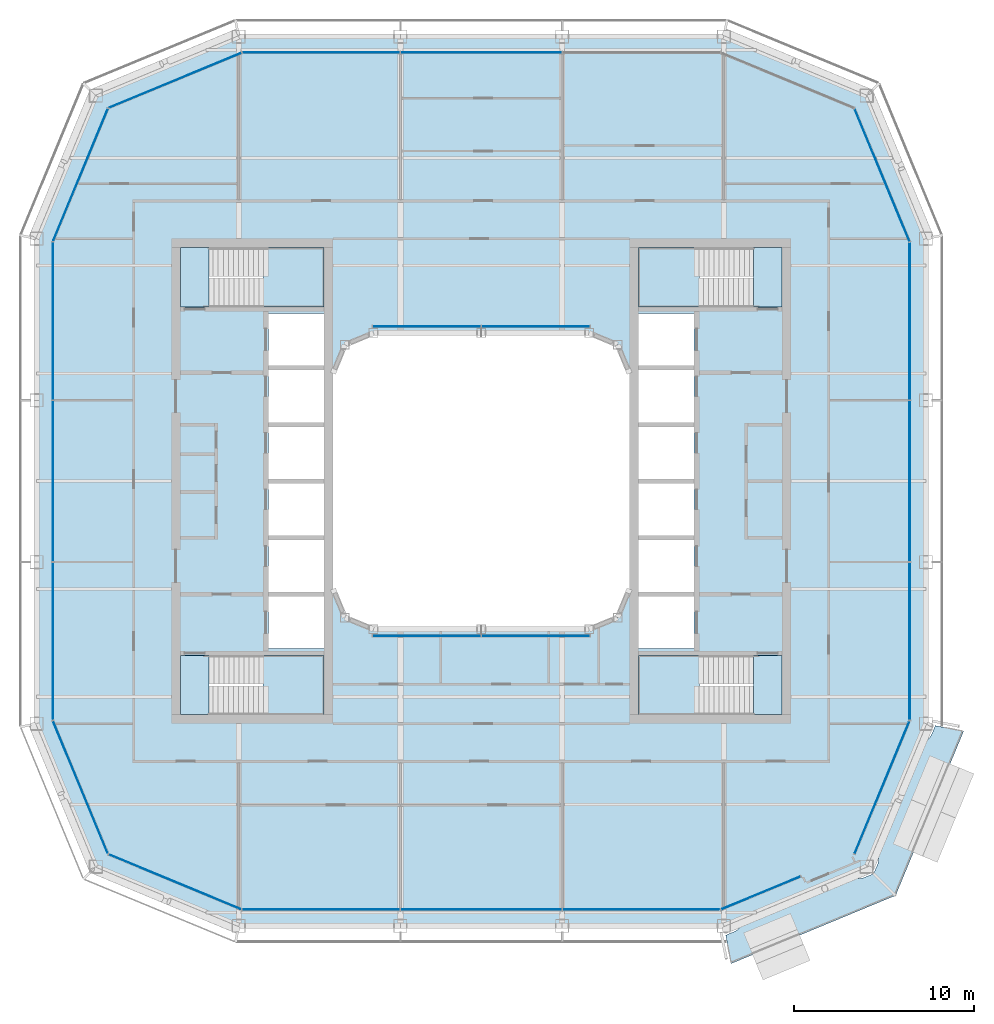
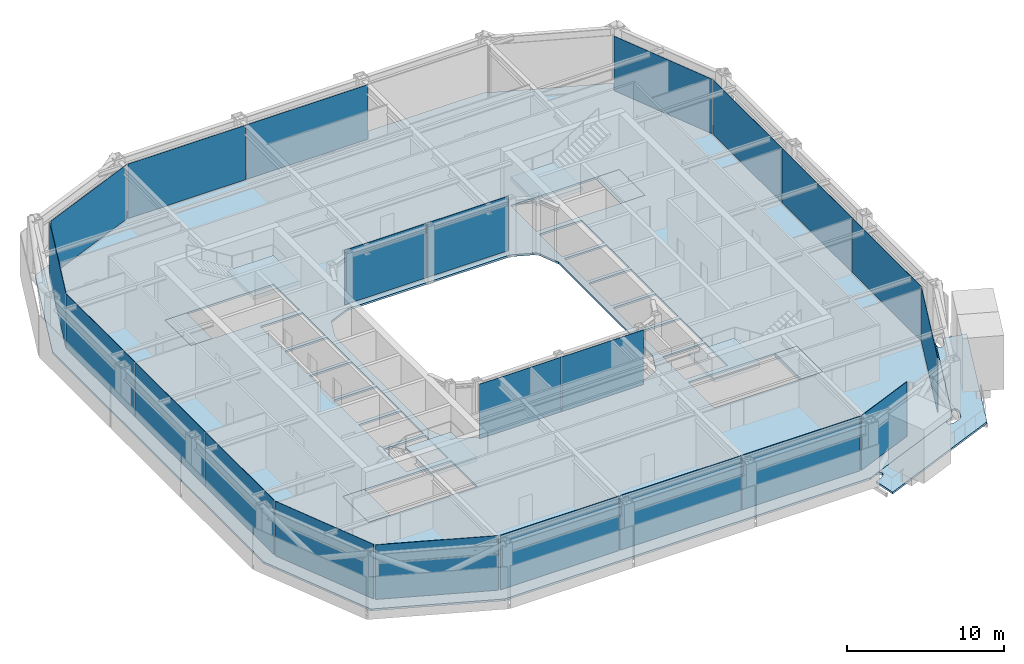
# One storey, part 9 of 21: 22 plates, 10 slabs, 17 elements without a shape of their own.
"""IFC4 building model written with IfcOpenShell, lengths in metres."""

from ifc_helpers import new_model, si_unit, direction, frame, origin, origin_2d, place, context, subcontext, project, spatial, polyline, rectangle, outline, extrude, material, layer, layer_set, type_object, element, aggregate, save


model = new_model("IFC4")

# Units and contexts
model_context = context("Model", 3, precision=1e-05, world=origin(), true_north=direction((0.0, 1.0)))
body_context = subcontext(model_context, "Body", "Model", "MODEL_VIEW")
ifc_project = project(units=[si_unit("LENGTHUNIT", "METRE"), si_unit("AREAUNIT", "SQUARE_METRE"), si_unit("VOLUMEUNIT", "CUBIC_METRE"), si_unit("PLANEANGLEUNIT", "RADIAN"), si_unit("MASSUNIT", "GRAM", prefix="KILO")], contexts=[model_context])

# Site, building, storey
site_placement = place(None, origin())
site = spatial("IfcSite", under=ifc_project, at=site_placement, CompositionType="ELEMENT")
building_placement = place(site_placement, origin())
building = spatial("IfcBuilding", under=site, at=building_placement, Name="Siwar Civic Tower", CompositionType="ELEMENT")
storey_placement = place(building_placement, frame((0.0, 0.0, 303.199951171875)))
storey = spatial("IfcBuildingStorey", under=building, at=storey_placement, Name="L65", CompositionType="ELEMENT", Elevation=303.199951171875)

# Stair, slabs
ifc_material_1 = material(Name="Concrete C40/50", Category="concrete")
stair_type = type_object("IfcStairType", Name="CORE-STAIR", PredefinedType="TWO_STRAIGHT_RUN_STAIR", material=ifc_material_1)
stair_1_placement = place(storey_placement, origin())
stair_1 = element("IfcStair", 1, at=stair_1_placement, inside=storey, type_object=stair_type, Name="Exit stair ST1", PredefinedType="TWO_STRAIGHT_RUN_STAIR")
ifc_material_2 = material(Name="Concrete C40/50", Category="concrete")
ifc_layer_1 = layer(ifc_material_2, 0.300048828125)
ifc_layer_set_1 = layer_set([ifc_layer_1], Name="Concrete C40/50")
slab_type_1 = type_object("IfcSlabType", Name="CORE-STAIR-LANDING", PredefinedType="LANDING", material=ifc_layer_set_1)
slab_1_placement = place(storey_placement, frame((0.0, 0.0, -0.300048828125)))
slab_1 = element("IfcSlab", 2, at=slab_1_placement, type_object=slab_type_1, Name="ST1 landing 1", PredefinedType="LANDING", context=body_context, shape_type="SweptSolid", body=[
    extrude(outline(polyline([(-15.14990234375, 13.0), (-16.75, 13.0), (-16.75, 9.699951171875), (-15.14990234375, 9.699951171875), (-15.14990234375, 13.0)])), origin(), (0.0, 0.0, 1.0), 0.300048828125),
])
slab_2_placement = place(storey_placement, frame((0.0, 0.0, 1.949951171875)))
slab_2 = element("IfcSlab", 3, at=slab_2_placement, type_object=slab_type_1, Name="ST1 landing 2", PredefinedType="LANDING", context=body_context, shape_type="SweptSolid", body=[
    extrude(outline(polyline([(-8.75, 13.0), (-12.139892578125, 13.0), (-12.139892578125, 9.699951171875), (-8.75, 9.699951171875), (-8.75, 13.0)])), origin(), (0.0, 0.0, 1.0), 0.300048828125),
])
aggregate(stair_1, [slab_1, slab_2])

stair_2_placement = place(storey_placement, origin())
stair_2 = element("IfcStair", 4, at=stair_2_placement, inside=storey, type_object=stair_type, Name="Exit stair ST2", PredefinedType="TWO_STRAIGHT_RUN_STAIR")
slab_3_placement = place(storey_placement, frame((0.0, 0.0, -0.300048828125)))
slab_3 = element("IfcSlab", 5, at=slab_3_placement, type_object=slab_type_1, Name="ST2 landing 1", PredefinedType="LANDING", context=body_context, shape_type="SweptSolid", body=[
    extrude(outline(polyline([(-15.14990234375, -9.699951171875), (-16.75, -9.699951171875), (-16.75, -13.0), (-15.14990234375, -13.0), (-15.14990234375, -9.699951171875)])), origin(), (0.0, 0.0, 1.0), 0.300048828125),
])
slab_4_placement = place(storey_placement, frame((0.0, 0.0, 1.949951171875)))
slab_4 = element("IfcSlab", 6, at=slab_4_placement, type_object=slab_type_1, Name="ST2 landing 2", PredefinedType="LANDING", context=body_context, shape_type="SweptSolid", body=[
    extrude(outline(polyline([(-8.75, -9.699951171875), (-12.139892578125, -9.699951171875), (-12.139892578125, -13.0), (-8.75, -13.0), (-8.75, -9.699951171875)])), origin(), (0.0, 0.0, 1.0), 0.300048828125),
])
aggregate(stair_2, [slab_3, slab_4])

stair_3_placement = place(storey_placement, origin())
stair_3 = element("IfcStair", 7, at=stair_3_placement, inside=storey, type_object=stair_type, Name="Exit stair ST3", PredefinedType="TWO_STRAIGHT_RUN_STAIR")
slab_5_placement = place(storey_placement, frame((0.0, 0.0, -0.300048828125)))
slab_5 = element("IfcSlab", 8, at=slab_5_placement, type_object=slab_type_1, Name="ST3 landing 1", PredefinedType="LANDING", context=body_context, shape_type="SweptSolid", body=[
    extrude(outline(polyline([(15.14990234375, 9.699951171875), (16.75, 9.699951171875), (16.75, 13.0), (15.14990234375, 13.0), (15.14990234375, 9.699951171875)])), origin(), (0.0, 0.0, 1.0), 0.300048828125),
])
slab_6_placement = place(storey_placement, frame((0.0, 0.0, 1.949951171875)))
slab_6 = element("IfcSlab", 9, at=slab_6_placement, type_object=slab_type_1, Name="ST3 landing 2", PredefinedType="LANDING", context=body_context, shape_type="SweptSolid", body=[
    extrude(outline(polyline([(8.75, 9.699951171875), (12.139892578125, 9.699951171875), (12.139892578125, 13.0), (8.75, 13.0), (8.75, 9.699951171875)])), origin(), (0.0, 0.0, 1.0), 0.300048828125),
])
aggregate(stair_3, [slab_5, slab_6])

stair_4_placement = place(storey_placement, origin())
stair_4 = element("IfcStair", 10, at=stair_4_placement, inside=storey, type_object=stair_type, Name="Exit stair ST4", PredefinedType="TWO_STRAIGHT_RUN_STAIR")
slab_7_placement = place(storey_placement, frame((0.0, 0.0, -0.300048828125)))
slab_7 = element("IfcSlab", 11, at=slab_7_placement, type_object=slab_type_1, Name="ST4 landing 1", PredefinedType="LANDING", context=body_context, shape_type="SweptSolid", body=[
    extrude(outline(polyline([(15.14990234375, -13.0), (16.75, -13.0), (16.75, -9.699951171875), (15.14990234375, -9.699951171875), (15.14990234375, -13.0)])), origin(), (0.0, 0.0, 1.0), 0.300048828125),
])
slab_8_placement = place(storey_placement, frame((0.0, 0.0, 1.949951171875)))
slab_8 = element("IfcSlab", 12, at=slab_8_placement, type_object=slab_type_1, Name="ST4 landing 2", PredefinedType="LANDING", context=body_context, shape_type="SweptSolid", body=[
    extrude(outline(polyline([(8.75, -13.0), (12.139892578125, -13.0), (12.139892578125, -9.699951171875), (8.75, -9.699951171875), (8.75, -13.0)])), origin(), (0.0, 0.0, 1.0), 0.300048828125),
])
aggregate(stair_4, [slab_7, slab_8])

# Slab
ifc_material_3 = material(Name="Concrete C40/50", Category="concrete")
ifc_layer_2 = layer(ifc_material_3, 0.14990234375)
ifc_layer_set_2 = layer_set([ifc_layer_2], Name="Concrete C40/50")
slab_type_2 = type_object("IfcSlabType", Name="ENV-BALCONY DECK 150", PredefinedType="FLOOR", material=ifc_layer_set_2)
slab_9_placement = place(storey_placement, frame((0.0, 0.0, -0.1494140625)))
element("IfcSlab", 13, at=slab_9_placement, inside=storey, type_object=slab_type_2, Name="Tree balcony deck SE", PredefinedType="FLOOR", context=body_context, shape_type="SweptSolid", body=[
    extrude(outline(polyline([(21.743896484375, -21.88623046875), (21.738525390625, -21.888671875), (21.738525390625, -21.888671875), (21.72216796875, -21.8955078125), (21.5908203125, -21.949951171875), (21.43505859375, -22.014892578125), (21.3857421875, -22.035400390625), (21.369384765625, -22.042236328125), (21.367431640625, -22.04296875), (21.306396484375, -22.06640625), (21.3017578125, -22.068115234375), (21.247802734375, -22.0849609375), (21.243408203125, -22.086181640625), (21.1884765625, -22.099853515625), (21.181396484375, -22.101318359375), (21.134033203125, -22.108154296875), (21.1328125, -22.1083984375), (21.07666015625, -22.11572265625), (21.070068359375, -22.1162109375), (21.0634765625, -22.1162109375), (20.975830078125, -22.112060546875), (20.965087890625, -22.11083984375), (20.92578125, -22.103271484375), (20.91796875, -22.101318359375), (20.910400390625, -22.0986328125), (20.8798828125, -22.08544921875), (20.875732421875, -22.08349609375), (20.84619140625, -22.068603515625), (20.839599609375, -22.06494140625), (20.833251953125, -22.060546875), (20.82763671875, -22.055419921875), (20.80712890625, -22.03564453125), (20.802490234375, -22.030517578125), (20.798095703125, -22.02490234375), (20.794189453125, -22.01904296875), (20.791015625, -22.0126953125), (20.780029296875, -21.988525390625), (20.7783203125, -21.984375), (20.76904296875, -21.959716796875), (20.7666015625, -21.952880859375), (20.76513671875, -21.946044921875), (20.76416015625, -21.93896484375), (20.763916015625, -21.931884765625), (20.764404296875, -21.903564453125), (20.764892578125, -21.89599609375), (20.76611328125, -21.888427734375), (20.76806640625, -21.881103515625), (20.778564453125, -21.849609375), (20.780029296875, -21.845458984375), (20.792236328125, -21.814453125), (20.795654296875, -21.80712890625), (20.7998046875, -21.800048828125), (20.822021484375, -21.766845703125), (20.82861328125, -21.758544921875), (20.887451171875, -21.693359375), (20.89208984375, -21.688720703125), (20.8935546875, -21.6875), (14.063720703125, -24.516357421875), (14.103759765625, -24.51123046875), (14.1103515625, -24.5107421875), (14.116943359375, -24.5107421875), (14.20458984375, -24.514892578125), (14.21533203125, -24.51611328125), (14.254638671875, -24.523681640625), (14.262451171875, -24.525634765625), (14.27001953125, -24.5283203125), (14.300537109375, -24.54150390625), (14.3046875, -24.54345703125), (14.33447265625, -24.558349609375), (14.341064453125, -24.56201171875), (14.34716796875, -24.56640625), (14.352783203125, -24.571533203125), (14.373291015625, -24.591064453125), (14.378173828125, -24.596435546875), (14.382568359375, -24.601806640625), (14.38623046875, -24.60791015625), (14.389404296875, -24.6142578125), (14.400390625, -24.638427734375), (14.402099609375, -24.642578125), (14.41162109375, -24.667236328125), (14.413818359375, -24.674072265625), (14.415283203125, -24.680908203125), (14.416259765625, -24.68798828125), (14.41650390625, -24.695068359375), (14.416015625, -24.723388671875), (14.41552734375, -24.73095703125), (14.414306640625, -24.738525390625), (14.412353515625, -24.745849609375), (14.402099609375, -24.77734375), (14.400634765625, -24.781494140625), (14.388427734375, -24.8125), (14.385009765625, -24.81982421875), (14.380859375, -24.82666015625), (14.3583984375, -24.860107421875), (14.351806640625, -24.868408203125), (14.29296875, -24.93359375), (14.288330078125, -24.938232421875), (14.283203125, -24.942626953125), (14.238525390625, -24.977294921875), (14.237548828125, -24.97802734375), (14.19921875, -25.006591796875), (14.193115234375, -25.0107421875), (14.144775390625, -25.0400390625), (14.140869140625, -25.042236328125), (14.0908203125, -25.068603515625), (14.08642578125, -25.07080078125), (14.02685546875, -25.09765625), (14.02490234375, -25.098388671875), (14.0166015625, -25.101806640625), (13.9755859375, -25.118896484375), (13.795166015625, -25.194091796875), (13.713134765625, -25.22802734375), (13.68017578125, -25.24169921875), (13.65576171875, -25.251953125), (13.65576171875, -25.251953125), (13.65576171875, -25.251953125), (13.65576171875, -25.251953125), (13.65576171875, -25.251953125), (13.64794921875, -25.2548828125), (13.632568359375, -25.25927734375), (13.625, -25.260986328125), (13.616943359375, -25.26220703125), (13.60205078125, -25.26318359375), (13.917724609375, -26.85009765625), (23.062255859375, -23.062255859375), (26.85009765625, -13.917724609375), (25.2607421875, -13.6015625), (25.2607421875, -13.61376953125), (25.2607421875, -13.620361328125), (25.259765625, -13.627197265625), (25.258544921875, -13.6337890625), (25.25537109375, -13.6455078125), (25.251953125, -13.65576171875), (25.24169921875, -13.68017578125), (25.22802734375, -13.713134765625), (25.194091796875, -13.795166015625), (25.118896484375, -13.9755859375), (25.101806640625, -14.0166015625), (25.098388671875, -14.02490234375), (25.09765625, -14.02685546875), (25.07080078125, -14.08642578125), (25.068603515625, -14.0908203125), (25.042236328125, -14.140869140625), (25.0400390625, -14.144775390625), (25.0107421875, -14.193115234375), (25.006591796875, -14.19921875), (24.97802734375, -14.237548828125), (24.977294921875, -14.238525390625), (24.942626953125, -14.283203125), (24.938232421875, -14.288330078125), (24.93359375, -14.29296875), (24.868408203125, -14.351806640625), (24.860107421875, -14.3583984375), (24.82666015625, -14.380859375), (24.81982421875, -14.385009765625), (24.8125, -14.388427734375), (24.781494140625, -14.400634765625), (24.77734375, -14.402099609375), (24.745849609375, -14.412353515625), (24.738525390625, -14.414306640625), (24.73095703125, -14.41552734375), (24.723388671875, -14.416015625), (24.695068359375, -14.41650390625), (24.68798828125, -14.416259765625), (24.680908203125, -14.415283203125), (24.674072265625, -14.413818359375), (24.667236328125, -14.41162109375), (24.642578125, -14.402099609375), (24.638427734375, -14.400390625), (24.6142578125, -14.389404296875), (24.60791015625, -14.38623046875), (24.601806640625, -14.382568359375), (24.596435546875, -14.378173828125), (24.591064453125, -14.373291015625), (24.571533203125, -14.352783203125), (24.56640625, -14.34716796875), (24.56201171875, -14.341064453125), (24.558349609375, -14.33447265625), (24.54345703125, -14.3046875), (24.54150390625, -14.300537109375), (24.5283203125, -14.27001953125), (24.525634765625, -14.262451171875), (24.523681640625, -14.254638671875), (24.51611328125, -14.21533203125), (24.514892578125, -14.20458984375), (24.5107421875, -14.116943359375), (24.5107421875, -14.1103515625), (24.51123046875, -14.103759765625), (24.516357421875, -14.063720703125), (21.6875, -20.8935546875), (21.688720703125, -20.89208984375), (21.693359375, -20.887451171875), (21.758544921875, -20.82861328125), (21.766845703125, -20.822021484375), (21.800048828125, -20.7998046875), (21.80712890625, -20.795654296875), (21.814453125, -20.792236328125), (21.845458984375, -20.780029296875), (21.849609375, -20.778564453125), (21.881103515625, -20.76806640625), (21.888427734375, -20.76611328125), (21.89599609375, -20.764892578125), (21.903564453125, -20.764404296875), (21.931884765625, -20.763916015625), (21.93896484375, -20.76416015625), (21.946044921875, -20.76513671875), (21.952880859375, -20.7666015625), (21.959716796875, -20.76904296875), (21.984375, -20.7783203125), (21.988525390625, -20.780029296875), (22.0126953125, -20.791015625), (22.01904296875, -20.794189453125), (22.02490234375, -20.798095703125), (22.030517578125, -20.802490234375), (22.03564453125, -20.80712890625), (22.055419921875, -20.82763671875), (22.060546875, -20.833251953125), (22.06494140625, -20.839599609375), (22.068603515625, -20.84619140625), (22.08349609375, -20.875732421875), (22.08544921875, -20.8798828125), (22.0986328125, -20.910400390625), (22.101318359375, -20.91796875), (22.103271484375, -20.92578125), (22.11083984375, -20.965087890625), (22.112060546875, -20.975830078125), (22.1162109375, -21.0634765625), (22.1162109375, -21.070068359375), (22.11572265625, -21.07666015625), (22.1083984375, -21.1328125), (22.108154296875, -21.134033203125), (22.101318359375, -21.181396484375), (22.099853515625, -21.1884765625), (22.086181640625, -21.243408203125), (22.0849609375, -21.247802734375), (22.068115234375, -21.3017578125), (22.06640625, -21.306396484375), (22.04296875, -21.367431640625), (22.042236328125, -21.369384765625), (22.035400390625, -21.3857421875), (22.014892578125, -21.43505859375), (21.949951171875, -21.5908203125), (21.922607421875, -21.656494140625), (21.8955078125, -21.72216796875), (21.888671875, -21.738525390625), (21.8837890625, -21.748046875), (21.87744140625, -21.7587890625), (21.873779296875, -21.76416015625), (21.86962890625, -21.76953125), (21.864990234375, -21.7744140625), (21.855712890625, -21.783447265625), (21.850341796875, -21.7880859375), (21.849609375, -21.78857421875), (21.84912109375, -21.7890625), (21.848876953125, -21.7890625), (21.8466796875, -21.794189453125), (21.84326171875, -21.800537109375), (21.839111328125, -21.806396484375), (21.829833984375, -21.818359375), (21.829833984375, -21.829833984375), (21.820556640625, -21.829833984375), (21.817626953125, -21.833251953125), (21.801025390625, -21.849365234375), (21.796875, -21.85302734375), (21.79248046875, -21.856689453125), (21.77392578125, -21.869873046875), (21.76904296875, -21.873046875), (21.76416015625, -21.875732421875), (21.743896484375, -21.88623046875)])), origin(), (0.0, 0.0, 1.0), 0.1494140625),
])

# Curtain wall, plates
ifc_material_4 = material(Name="Aluminium and glass", Category="aluminium")
ifc_layer_3 = layer(ifc_material_4, 0.159912109375)
ifc_layer_set_3 = layer_set([ifc_layer_3], Name="Aluminium and glass")
curtain_wall_type_1 = type_object("IfcCurtainWallType", Name="ENV-CW-D", PredefinedType="NOTDEFINED", material=ifc_layer_set_3)
curtain_wall_1_placement = place(storey_placement, origin())
curtain_wall_1 = element("IfcCurtainWall", 14, at=curtain_wall_1_placement, inside=storey, type_object=curtain_wall_type_1, Name="Curtain wall D S", PredefinedType="NOTDEFINED")
ifc_material_5 = material(Name="Glass clear laminated", Category="glass")
ifc_layer_4 = layer(ifc_material_5, 0.030029296875)
ifc_layer_set_4 = layer_set([ifc_layer_4], Name="Glass clear laminated")
plate_type_1 = type_object("IfcPlateType", Name="ENV-PANEL-D", PredefinedType="CURTAIN_PANEL", material=ifc_layer_set_4)
plate_1_placement = place(storey_placement, frame((-8.910400390625, -23.85009765625, 0.10009765625), z_axis=(0.0, 0.0, 1.0), x_axis=(1.0, 0.0, 0.0)))
plate_1 = element("IfcPlate", 15, at=plate_1_placement, type_object=plate_type_1, Name="Curtain panel D S 1", PredefinedType="CURTAIN_PANEL", context=body_context, shape_type="SweptSolid", body=[
    extrude(rectangle(XDim=8.760986328125, YDim=0.030029296875, at=origin_2d()), origin(), (0.0, 0.0, 1.0), 4.25),
])
plate_2_placement = place(storey_placement, frame((0.0, -23.85009765625, 0.10009765625), z_axis=(0.0, 0.0, 1.0), x_axis=(1.0, 0.0, 0.0)))
plate_2 = element("IfcPlate", 16, at=plate_2_placement, type_object=plate_type_1, Name="Curtain panel D S 2", PredefinedType="CURTAIN_PANEL", context=body_context, shape_type="SweptSolid", body=[
    extrude(rectangle(XDim=8.93994140625, YDim=0.030029296875, at=origin_2d()), origin(), (0.0, 0.0, 1.0), 4.25),
])
plate_3_placement = place(storey_placement, frame((8.876708984375, -23.85009765625, 0.10009765625), z_axis=(0.0, 0.0, 1.0), x_axis=(1.0, 0.0, 0.0)))
plate_3 = element("IfcPlate", 17, at=plate_3_placement, type_object=plate_type_1, Name="Curtain panel D S 3", PredefinedType="CURTAIN_PANEL", context=body_context, shape_type="SweptSolid", body=[
    extrude(rectangle(XDim=8.693115234375, YDim=0.030029296875, at=origin_2d()), origin(), (0.0, 0.0, 1.0), 4.25),
])
aggregate(curtain_wall_1, [plate_1, plate_2, plate_3])

curtain_wall_2_placement = place(storey_placement, origin())
curtain_wall_2 = element("IfcCurtainWall", 18, at=curtain_wall_2_placement, inside=storey, type_object=curtain_wall_type_1, Name="Curtain wall D E", PredefinedType="NOTDEFINED")
plate_4_placement = place(storey_placement, frame((23.85009765625, -8.910400390625, 0.10009765625), z_axis=(0.0, 0.0, 1.0), x_axis=(0.0, 1.0, 0.0)))
plate_4 = element("IfcPlate", 19, at=plate_4_placement, type_object=plate_type_1, Name="Curtain panel D E 1", PredefinedType="CURTAIN_PANEL", context=body_context, shape_type="SweptSolid", body=[
    extrude(rectangle(XDim=8.760986328125, YDim=0.030029296875, at=origin_2d()), origin(), (0.0, 0.0, 1.0), 4.25),
])
plate_5_placement = place(storey_placement, frame((23.85009765625, 0.0, 0.10009765625), z_axis=(0.0, 0.0, 1.0), x_axis=(0.0, 1.0, 0.0)))
plate_5 = element("IfcPlate", 20, at=plate_5_placement, type_object=plate_type_1, Name="Curtain panel D E 2", PredefinedType="CURTAIN_PANEL", context=body_context, shape_type="SweptSolid", body=[
    extrude(rectangle(XDim=8.93994140625, YDim=0.030029296875, at=origin_2d()), origin(), (0.0, 0.0, 1.0), 4.25),
])
plate_6_placement = place(storey_placement, frame((23.85009765625, 8.876708984375, 0.10009765625), z_axis=(0.0, 0.0, 1.0), x_axis=(0.0, 1.0, 0.0)))
plate_6 = element("IfcPlate", 21, at=plate_6_placement, type_object=plate_type_1, Name="Curtain panel D E 3", PredefinedType="CURTAIN_PANEL", context=body_context, shape_type="SweptSolid", body=[
    extrude(rectangle(XDim=8.693115234375, YDim=0.030029296875, at=origin_2d()), origin(), (0.0, 0.0, 1.0), 4.25),
])
aggregate(curtain_wall_2, [plate_4, plate_5, plate_6])

curtain_wall_3_placement = place(storey_placement, origin())
curtain_wall_3 = element("IfcCurtainWall", 22, at=curtain_wall_3_placement, inside=storey, type_object=curtain_wall_type_1, Name="Curtain wall D N", PredefinedType="NOTDEFINED")
plate_7_placement = place(storey_placement, frame((0.0, 23.85009765625, 0.10009765625), z_axis=(0.0, 0.0, 1.0), x_axis=(-1.0, 0.0, 0.0)))
plate_7 = element("IfcPlate", 23, at=plate_7_placement, type_object=plate_type_1, Name="Curtain panel D N 2", PredefinedType="CURTAIN_PANEL", context=body_context, shape_type="SweptSolid", body=[
    extrude(rectangle(XDim=8.93994140625, YDim=0.030029296875, at=origin_2d()), origin(), (0.0, 0.0, 1.0), 4.25),
])
plate_8_placement = place(storey_placement, frame((-8.876708984375, 23.85009765625, 0.10009765625), z_axis=(0.0, 0.0, 1.0), x_axis=(-1.0, 0.0, 0.0)))
plate_8 = element("IfcPlate", 24, at=plate_8_placement, type_object=plate_type_1, Name="Curtain panel D N 3", PredefinedType="CURTAIN_PANEL", context=body_context, shape_type="SweptSolid", body=[
    extrude(rectangle(XDim=8.693115234375, YDim=0.030029296875, at=origin_2d()), origin(), (0.0, 0.0, 1.0), 4.25),
])
aggregate(curtain_wall_3, [plate_7, plate_8])

curtain_wall_4_placement = place(storey_placement, origin())
curtain_wall_4 = element("IfcCurtainWall", 25, at=curtain_wall_4_placement, inside=storey, type_object=curtain_wall_type_1, Name="Curtain wall D W", PredefinedType="NOTDEFINED")
plate_9_placement = place(storey_placement, frame((-23.85009765625, 8.910400390625, 0.10009765625), z_axis=(0.0, 0.0, 1.0), x_axis=(0.0, -1.0, 0.0)))
plate_9 = element("IfcPlate", 26, at=plate_9_placement, type_object=plate_type_1, Name="Curtain panel D W 1", PredefinedType="CURTAIN_PANEL", context=body_context, shape_type="SweptSolid", body=[
    extrude(rectangle(XDim=8.760986328125, YDim=0.030029296875, at=origin_2d()), origin(), (0.0, 0.0, 1.0), 4.25),
])
plate_10_placement = place(storey_placement, frame((-23.85009765625, 0.0, 0.10009765625), z_axis=(0.0, 0.0, 1.0), x_axis=(0.0, -1.0, 0.0)))
plate_10 = element("IfcPlate", 27, at=plate_10_placement, type_object=plate_type_1, Name="Curtain panel D W 2", PredefinedType="CURTAIN_PANEL", context=body_context, shape_type="SweptSolid", body=[
    extrude(rectangle(XDim=8.93994140625, YDim=0.030029296875, at=origin_2d()), origin(), (0.0, 0.0, 1.0), 4.25),
])
plate_11_placement = place(storey_placement, frame((-23.85009765625, -8.876708984375, 0.10009765625), z_axis=(0.0, 0.0, 1.0), x_axis=(0.0, -1.0, 0.0)))
plate_11 = element("IfcPlate", 28, at=plate_11_placement, type_object=plate_type_1, Name="Curtain panel D W 3", PredefinedType="CURTAIN_PANEL", context=body_context, shape_type="SweptSolid", body=[
    extrude(rectangle(XDim=8.693115234375, YDim=0.030029296875, at=origin_2d()), origin(), (0.0, 0.0, 1.0), 4.25),
])
aggregate(curtain_wall_4, [plate_9, plate_10, plate_11])

# Curtain wall, plate
ifc_material_6 = material(Name="Aluminium clad insulated panel", Category="aluminium")
ifc_layer_5 = layer(ifc_material_6, 0.159912109375)
ifc_layer_set_5 = layer_set([ifc_layer_5], Name="Aluminium clad insulated panel")
curtain_wall_type_2 = type_object("IfcCurtainWallType", Name="ENV-CW-DX", PredefinedType="NOTDEFINED", material=ifc_layer_set_5)
curtain_wall_5_placement = place(storey_placement, origin())
curtain_wall_5 = element("IfcCurtainWall", 29, at=curtain_wall_5_placement, inside=storey, type_object=curtain_wall_type_2, Name="Curtain wall D SE1", PredefinedType="NOTDEFINED")
ifc_material_7 = material(Name="Aluminium clad insulated panel", Category="aluminium")
ifc_layer_6 = layer(ifc_material_7, 0.030029296875)
ifc_layer_set_6 = layer_set([ifc_layer_6], Name="Aluminium clad insulated panel")
plate_type_2 = type_object("IfcPlateType", Name="ENV-PANEL-DX", PredefinedType="CURTAIN_PANEL", material=ifc_layer_set_6)
plate_12_placement = place(storey_placement, frame((15.56005859375, -22.922607421875, 0.10009765625), z_axis=(0.0, 0.0, 1.0), x_axis=(0.923879532511, 0.382683432365, 0.0)))
plate_12 = element("IfcPlate", 30, at=plate_12_placement, type_object=plate_type_2, Name="Curtain panel D SE1 1", PredefinedType="CURTAIN_PANEL", context=body_context, shape_type="SweptSolid", body=[
    extrude(rectangle(XDim=4.787109375, YDim=0.030029296875, at=origin_2d()), origin(), (0.0, 0.0, 1.0), 4.25),
])
aggregate(curtain_wall_5, [plate_12])

curtain_wall_6_placement = place(storey_placement, origin())
curtain_wall_6 = element("IfcCurtainWall", 31, at=curtain_wall_6_placement, inside=storey, type_object=curtain_wall_type_2, Name="Curtain wall D SE2", PredefinedType="NOTDEFINED")
plate_13_placement = place(storey_placement, frame((22.295166015625, -17.074951171875, 0.10009765625), z_axis=(0.0, 0.0, 1.0), x_axis=(0.382683432365, 0.923879532511, 0.0)))
plate_13 = element("IfcPlate", 32, at=plate_13_placement, type_object=plate_type_2, Name="Curtain panel D SE2 1", PredefinedType="CURTAIN_PANEL", context=body_context, shape_type="SweptSolid", body=[
    extrude(rectangle(XDim=7.9306640625, YDim=0.030029296875, at=origin_2d()), origin(), (0.0, 0.0, 1.0), 4.25),
])
aggregate(curtain_wall_6, [plate_13])

curtain_wall_7_placement = place(storey_placement, origin())
curtain_wall_7 = element("IfcCurtainWall", 33, at=curtain_wall_7_placement, inside=storey, type_object=curtain_wall_type_2, Name="Curtain wall D NE1", PredefinedType="NOTDEFINED")
plate_14_placement = place(storey_placement, frame((22.321044921875, 17.01220703125, 0.10009765625), z_axis=(0.0, 0.0, 1.0), x_axis=(-0.382683432365, 0.923879532511, 0.0)))
plate_14 = element("IfcPlate", 34, at=plate_14_placement, type_object=plate_type_2, Name="Curtain panel D NE1 1", PredefinedType="CURTAIN_PANEL", context=body_context, shape_type="SweptSolid", body=[
    extrude(rectangle(XDim=7.9306640625, YDim=0.030029296875, at=origin_2d()), origin(), (0.0, 0.0, 1.0), 4.25),
])
aggregate(curtain_wall_7, [plate_14])

curtain_wall_8_placement = place(storey_placement, origin())
curtain_wall_8 = element("IfcCurtainWall", 35, at=curtain_wall_8_placement, inside=storey, type_object=curtain_wall_type_2, Name="Curtain wall D NW1", PredefinedType="NOTDEFINED")
plate_15_placement = place(storey_placement, frame((-17.01220703125, 22.321044921875, 0.10009765625), z_axis=(0.0, 0.0, 1.0), x_axis=(-0.923879532511, -0.382683432365, 0.0)))
plate_15 = element("IfcPlate", 36, at=plate_15_placement, type_object=plate_type_2, Name="Curtain panel D NW1 1", PredefinedType="CURTAIN_PANEL", context=body_context, shape_type="SweptSolid", body=[
    extrude(rectangle(XDim=7.9306640625, YDim=0.030029296875, at=origin_2d()), origin(), (0.0, 0.0, 1.0), 4.25),
])
aggregate(curtain_wall_8, [plate_15])

curtain_wall_9_placement = place(storey_placement, origin())
curtain_wall_9 = element("IfcCurtainWall", 37, at=curtain_wall_9_placement, inside=storey, type_object=curtain_wall_type_2, Name="Curtain wall D NW2", PredefinedType="NOTDEFINED")
plate_16_placement = place(storey_placement, frame((-22.295166015625, 17.074951171875, 0.10009765625), z_axis=(0.0, 0.0, 1.0), x_axis=(-0.382683432365, -0.923879532511, 0.0)))
plate_16 = element("IfcPlate", 38, at=plate_16_placement, type_object=plate_type_2, Name="Curtain panel D NW2 1", PredefinedType="CURTAIN_PANEL", context=body_context, shape_type="SweptSolid", body=[
    extrude(rectangle(XDim=7.9306640625, YDim=0.030029296875, at=origin_2d()), origin(), (0.0, 0.0, 1.0), 4.25),
])
aggregate(curtain_wall_9, [plate_16])

curtain_wall_10_placement = place(storey_placement, origin())
curtain_wall_10 = element("IfcCurtainWall", 39, at=curtain_wall_10_placement, inside=storey, type_object=curtain_wall_type_2, Name="Curtain wall D SW1", PredefinedType="NOTDEFINED")
plate_17_placement = place(storey_placement, frame((-22.321044921875, -17.01220703125, 0.10009765625), z_axis=(0.0, 0.0, 1.0), x_axis=(0.382683432365, -0.923879532511, 0.0)))
plate_17 = element("IfcPlate", 40, at=plate_17_placement, type_object=plate_type_2, Name="Curtain panel D SW1 1", PredefinedType="CURTAIN_PANEL", context=body_context, shape_type="SweptSolid", body=[
    extrude(rectangle(XDim=7.9306640625, YDim=0.030029296875, at=origin_2d()), origin(), (0.0, 0.0, 1.0), 4.25),
])
aggregate(curtain_wall_10, [plate_17])

curtain_wall_11_placement = place(storey_placement, origin())
curtain_wall_11 = element("IfcCurtainWall", 41, at=curtain_wall_11_placement, inside=storey, type_object=curtain_wall_type_2, Name="Curtain wall D SW2", PredefinedType="NOTDEFINED")
plate_18_placement = place(storey_placement, frame((-17.074951171875, -22.295166015625, 0.10009765625), z_axis=(0.0, 0.0, 1.0), x_axis=(0.923879532511, -0.382683432365, 0.0)))
plate_18 = element("IfcPlate", 42, at=plate_18_placement, type_object=plate_type_2, Name="Curtain panel D SW2 1", PredefinedType="CURTAIN_PANEL", context=body_context, shape_type="SweptSolid", body=[
    extrude(rectangle(XDim=7.9306640625, YDim=0.030029296875, at=origin_2d()), origin(), (0.0, 0.0, 1.0), 4.25),
])
aggregate(curtain_wall_11, [plate_18])

# Curtain wall, plates
ifc_material_8 = material(Name="Aluminium and glass", Category="aluminium")
ifc_layer_7 = layer(ifc_material_8, 0.179931640625)
ifc_layer_set_7 = layer_set([ifc_layer_7], Name="Aluminium and glass")
curtain_wall_type_3 = type_object("IfcCurtainWallType", Name="ENV-CW-W", PredefinedType="NOTDEFINED", material=ifc_layer_set_7)
curtain_wall_12_placement = place(storey_placement, origin())
curtain_wall_12 = element("IfcCurtainWall", 43, at=curtain_wall_12_placement, inside=storey, type_object=curtain_wall_type_3, Name="Curtain wall W WS", PredefinedType="NOTDEFINED")
ifc_material_9 = material(Name="Glass clear laminated", Category="glass")
ifc_layer_8 = layer(ifc_material_9, 0.031982421875)
ifc_layer_set_8 = layer_set([ifc_layer_8], Name="Glass clear laminated")
plate_type_3 = type_object("IfcPlateType", Name="ENV-PANEL-W", PredefinedType="CURTAIN_PANEL", material=ifc_layer_set_8)
plate_19_placement = place(storey_placement, frame((-3.035888671875, -8.610107421875, 0.10009765625), z_axis=(0.0, 0.0, 1.0), x_axis=(1.0, 0.0, 0.0)))
plate_19 = element("IfcPlate", 44, at=plate_19_placement, type_object=plate_type_3, Name="Curtain panel W WS 1", PredefinedType="CURTAIN_PANEL", context=body_context, shape_type="SweptSolid", body=[
    extrude(rectangle(XDim=6.01171875, YDim=0.031982421875, at=origin_2d()), origin(), (0.0, 0.0, 1.0), 4.25),
])
plate_20_placement = place(storey_placement, frame((3.035888671875, -8.610107421875, 0.10009765625), z_axis=(0.0, 0.0, 1.0), x_axis=(1.0, 0.0, 0.0)))
plate_20 = element("IfcPlate", 45, at=plate_20_placement, type_object=plate_type_3, Name="Curtain panel W WS 2", PredefinedType="CURTAIN_PANEL", context=body_context, shape_type="SweptSolid", body=[
    extrude(rectangle(XDim=6.01171875, YDim=0.031982421875, at=origin_2d()), origin(), (0.0, 0.0, 1.0), 4.25),
])
aggregate(curtain_wall_12, [plate_19, plate_20])

curtain_wall_13_placement = place(storey_placement, origin())
curtain_wall_13 = element("IfcCurtainWall", 46, at=curtain_wall_13_placement, inside=storey, type_object=curtain_wall_type_3, Name="Curtain wall W WN", PredefinedType="NOTDEFINED")
plate_21_placement = place(storey_placement, frame((3.035888671875, 8.610107421875, 0.10009765625), z_axis=(0.0, 0.0, 1.0), x_axis=(-1.0, 0.0, 0.0)))
plate_21 = element("IfcPlate", 47, at=plate_21_placement, type_object=plate_type_3, Name="Curtain panel W WN 1", PredefinedType="CURTAIN_PANEL", context=body_context, shape_type="SweptSolid", body=[
    extrude(rectangle(XDim=6.01171875, YDim=0.031982421875, at=origin_2d()), origin(), (0.0, 0.0, 1.0), 4.25),
])
plate_22_placement = place(storey_placement, frame((-3.035888671875, 8.610107421875, 0.10009765625), z_axis=(0.0, 0.0, 1.0), x_axis=(-1.0, 0.0, 0.0)))
plate_22 = element("IfcPlate", 48, at=plate_22_placement, type_object=plate_type_3, Name="Curtain panel W WN 2", PredefinedType="CURTAIN_PANEL", context=body_context, shape_type="SweptSolid", body=[
    extrude(rectangle(XDim=6.01171875, YDim=0.031982421875, at=origin_2d()), origin(), (0.0, 0.0, 1.0), 4.25),
])
aggregate(curtain_wall_13, [plate_21, plate_22])

# Slab
ifc_material_10 = material(Name="Concrete C40/50", Category="concrete")
ifc_layer_9 = layer(ifc_material_10, 0.14990234375)
ifc_layer_set_9 = layer_set([ifc_layer_9], Name="Concrete C40/50")
slab_type_3 = type_object("IfcSlabType", Name="STR-FLOOR-DECK-150", PredefinedType="FLOOR", material=ifc_layer_set_9)
slab_10_placement = place(storey_placement, frame((0.0, 0.0, -0.14990234375)))
element("IfcSlab", 49, at=slab_10_placement, inside=storey, type_object=slab_type_3, Name="L65/slab/1", PredefinedType="FLOOR", context=body_context, shape_type="SweptSolid", body=[
    extrude(outline(polyline([(-13.5, -24.75), (13.5, -24.75), (21.454833984375, -21.454833984375), (24.75, -13.5), (24.75, 13.5), (21.454833984375, 21.454833984375), (13.5, 24.75), (-13.5, 24.75), (-21.454833984375, 21.454833984375), (-24.75, 13.5), (-24.75, -13.5), (-21.454833984375, -21.454833984375), (-13.5, -24.75)]), holes=[polyline([(16.75, 13.0), (16.75, 9.699951171875), (8.75, 9.699951171875), (8.75, 13.0), (16.75, 13.0)]), polyline([(8.75, -9.699951171875), (16.75, -9.699951171875), (16.75, -13.0), (8.75, -13.0), (8.75, -9.699951171875)]), polyline([(11.85009765625, 9.324951171875), (11.85009765625, 6.425048828125), (8.75, 6.425048828125), (8.75, 9.324951171875), (11.85009765625, 9.324951171875)]), polyline([(8.75, 6.175048828125), (11.85009765625, 6.175048828125), (11.85009765625, 3.27490234375), (8.75, 3.27490234375), (8.75, 6.175048828125)]), polyline([(8.75, 3.02490234375), (11.85009765625, 3.02490234375), (11.85009765625, 0.125), (8.75, 0.125), (8.75, 3.02490234375)]), polyline([(8.75, -0.125), (11.85009765625, -0.125), (11.85009765625, -3.02490234375), (8.75, -3.02490234375), (8.75, -0.125)]), polyline([(8.75, -3.27490234375), (11.85009765625, -3.27490234375), (11.85009765625, -6.175048828125), (8.75, -6.175048828125), (8.75, -3.27490234375)]), polyline([(8.75, -6.425048828125), (11.85009765625, -6.425048828125), (11.85009765625, -9.324951171875), (8.75, -9.324951171875), (8.75, -6.425048828125)]), polyline([(-6.0, 8.25), (6.0, 8.25), (7.591064453125, 7.591064453125), (8.25, 6.0), (8.25, -6.0), (7.591064453125, -7.591064453125), (6.0, -8.25), (-6.0, -8.25), (-7.591064453125, -7.591064453125), (-8.25, -6.0), (-8.25, 6.0), (-7.591064453125, 7.591064453125), (-6.0, 8.25)]), polyline([(-8.75, -13.0), (-16.75, -13.0), (-16.75, -9.699951171875), (-8.75, -9.699951171875), (-8.75, -13.0)]), polyline([(-8.75, 9.699951171875), (-16.75, 9.699951171875), (-16.75, 13.0), (-8.75, 13.0), (-8.75, 9.699951171875)]), polyline([(-8.75, 6.425048828125), (-11.85009765625, 6.425048828125), (-11.85009765625, 9.324951171875), (-8.75, 9.324951171875), (-8.75, 6.425048828125)]), polyline([(-8.75, 3.27490234375), (-11.85009765625, 3.27490234375), (-11.85009765625, 6.175048828125), (-8.75, 6.175048828125), (-8.75, 3.27490234375)]), polyline([(-8.75, 0.125), (-11.85009765625, 0.125), (-11.85009765625, 3.02490234375), (-8.75, 3.02490234375), (-8.75, 0.125)]), polyline([(-8.75, -3.02490234375), (-11.85009765625, -3.02490234375), (-11.85009765625, -0.125), (-8.75, -0.125), (-8.75, -3.02490234375)]), polyline([(-8.75, -6.175048828125), (-11.85009765625, -6.175048828125), (-11.85009765625, -3.27490234375), (-8.75, -3.27490234375), (-8.75, -6.175048828125)]), polyline([(-8.75, -9.324951171875), (-11.85009765625, -9.324951171875), (-11.85009765625, -6.425048828125), (-8.75, -6.425048828125), (-8.75, -9.324951171875)])]), origin(), (0.0, 0.0, 1.0), 0.14990234375),
])

save(model, "model.ifc")
